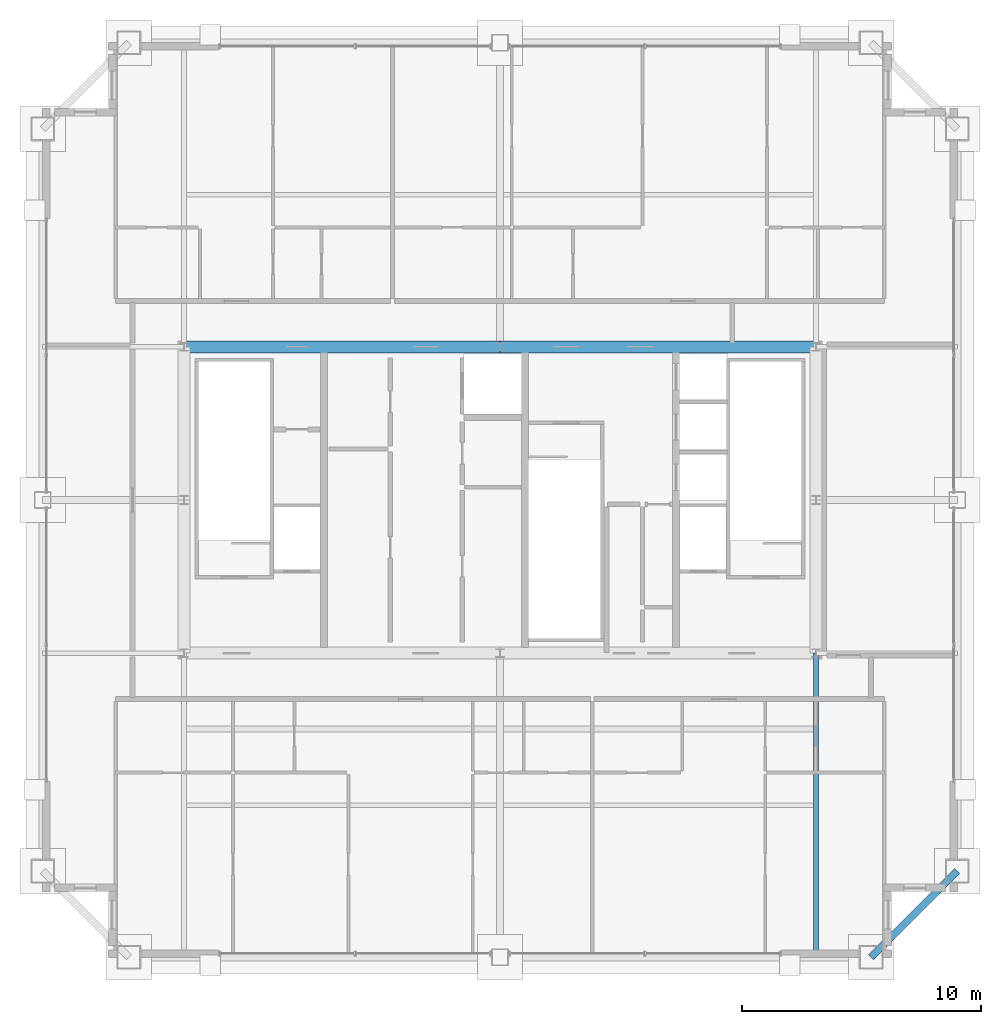
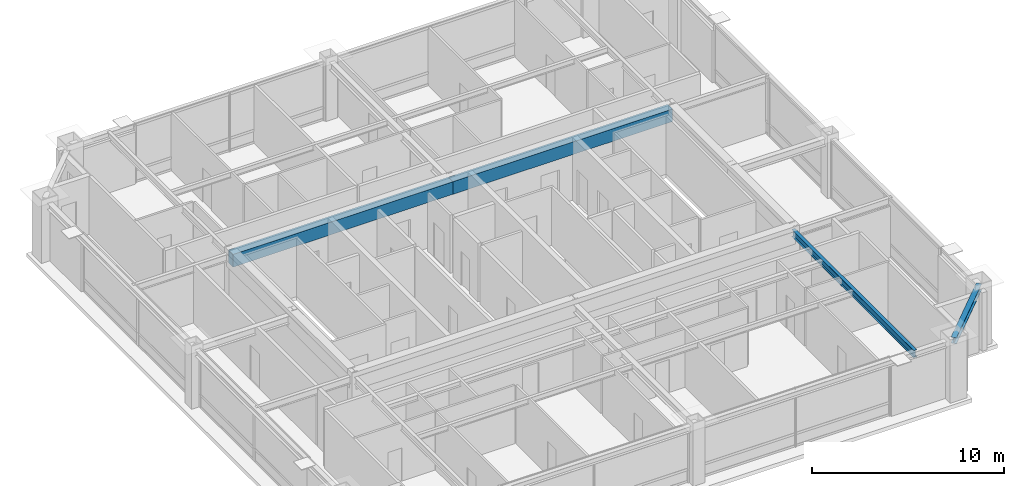
# One storey, part 13 of 34: 4 beams.
"""IFC4 building model written with IfcOpenShell, lengths in metres."""

import ifcopenshell
import ifcopenshell.guid

model = None  # the IFC model being written
_history = None  # IfcOwnerHistory: only IFC2X3 demands one
_inside = {}  # id of a spatial element -> (the spatial element, [elements in it])
_under = {}  # id of a project, library or spatial element -> (it, [spatial elements below it])
_declared = {}  # id of a project -> (the project, [libraries it declares])
_typed = {}  # id of a type object -> (the type object, [elements of that type])
_made_of = {}  # id of a material, layer set ... -> (it, [elements and type objects made of it])


def new_model(schema):
    """Start an empty IFC model of exactly this schema.

    Asked for "IFC4X3", IfcOpenShell would pick the latest addendum, in which some entities
    have other attributes; the version numbers below select the first issue.
    IFC2X3 requires an IfcOwnerHistory on every rooted entity: one is made here for all.
    """
    global model, _history
    if schema == "IFC4X3":
        model = ifcopenshell.file(schema_version=(4, 3, 0, 0))
    else:
        model = ifcopenshell.file(schema=schema)
    _inside.clear()
    _under.clear()
    _declared.clear()
    _typed.clear()
    _made_of.clear()
    _history = None
    if model.schema == "IFC2X3":
        org = make("IfcOrganization", Name="unknown")
        user = make(
            "IfcPersonAndOrganization",
            ThePerson=make("IfcPerson", FamilyName="unknown"),
            TheOrganization=org,
        )
        app = make(
            "IfcApplication",
            ApplicationDeveloper=org,
            Version="unknown",
            ApplicationFullName="unknown",
            ApplicationIdentifier="unknown",
        )
        _history = make(
            "IfcOwnerHistory",
            OwningUser=user,
            OwningApplication=app,
            ChangeAction="ADDED",
            CreationDate=0,
        )
    return model


def make(cls, **values):
    """One entity of the class cls with the attributes given. An attribute that is None is left unset."""
    return model.create_entity(
        cls, **{name: value for name, value in values.items() if value is not None}
    )


def rooted(cls, **values):
    """An entity with a GlobalId (a new one), such as an element, a storey or a relation."""
    return make(cls, GlobalId=ifcopenshell.guid.new(), OwnerHistory=_history, **values)


def si_unit(unit_type, name, prefix=None):
    """IfcSIUnit, for example si_unit("LENGTHUNIT", "METRE", prefix="MILLI")."""
    return make("IfcSIUnit", UnitType=unit_type, Prefix=prefix, Name=name)


def assignment(units):
    """IfcUnitAssignment: the units of a project."""
    return None if units is None else make("IfcUnitAssignment", Units=units)


def point(xyz):
    """IfcCartesianPoint."""
    return None if xyz is None else make("IfcCartesianPoint", Coordinates=xyz)


def direction(xyz):
    """IfcDirection."""
    return None if xyz is None else make("IfcDirection", DirectionRatios=xyz)


def frame(location, z_axis=None, x_axis=None):
    """IfcAxis2Placement3D, a coordinate frame: its origin and axes. An axis left out is left unset."""
    return make(
        "IfcAxis2Placement3D",
        Location=point(location),
        Axis=direction(z_axis),
        RefDirection=direction(x_axis),
    )


def frame_2d(location, x_axis=None):
    """IfcAxis2Placement2D, a coordinate frame in the plane: its origin and x axis."""
    return make(
        "IfcAxis2Placement2D", Location=point(location), RefDirection=direction(x_axis)
    )


def origin():
    """The frame at (0, 0, 0) with its axes left unset."""
    return frame((0.0, 0.0, 0.0))


def origin_2d():
    """The frame at (0, 0) in the plane with its x axis left unset."""
    return frame_2d((0.0, 0.0))


def place(relative_to, where):
    """IfcLocalPlacement: puts the frame where relative to a parent placement (None: the world)."""
    return make(
        "IfcLocalPlacement", PlacementRelTo=relative_to, RelativePlacement=where
    )


def context(
    kind, dimensions, precision=None, world=None, true_north=None, identifier=None
):
    """IfcGeometricRepresentationContext, for example the 3D "Model" context."""
    return make(
        "IfcGeometricRepresentationContext",
        ContextIdentifier=identifier,
        ContextType=kind,
        CoordinateSpaceDimension=dimensions,
        Precision=precision,
        WorldCoordinateSystem=world,
        TrueNorth=true_north,
    )


def subcontext(parent, identifier, kind, view, scale=None):
    """IfcGeometricRepresentationSubContext, for example "Body" below "Model"."""
    return make(
        "IfcGeometricRepresentationSubContext",
        ContextIdentifier=identifier,
        ContextType=kind,
        ParentContext=parent,
        TargetScale=scale,
        TargetView=view,
    )


def project(units=None, contexts=None):
    """IfcProject with its units and contexts."""
    return rooted(
        "IfcProject",
        Name="project",
        RepresentationContexts=contexts,
        UnitsInContext=assignment(units),
    )


def spatial(cls, under=None, at=None, **own):
    """A site, building, storey or space (cls), placed at a placement, below another one or the project."""
    s = rooted(cls, ObjectPlacement=at, **own)
    if under is not None:
        _under.setdefault(under.id(), (under, []))[1].append(s)
    return s


def profile(cls, at=None, kind="AREA", **sizes):
    """A parametric profile (cls). Its sizes go by their IFC names, for example OverallWidth=200.0."""
    return make(cls, ProfileType=kind, Position=at, **sizes)


def rectangle(**sizes):
    """IfcRectangleProfileDef."""
    return profile("IfcRectangleProfileDef", **sizes)


def i_section(**sizes):
    """IfcIShapeProfileDef."""
    return profile("IfcIShapeProfileDef", **sizes)


def extrude(swept, where, along, depth):
    """IfcExtrudedAreaSolid: the profile swept, set in the frame where, extruded along a direction by depth."""
    return make(
        "IfcExtrudedAreaSolid",
        SweptArea=swept,
        Position=where,
        ExtrudedDirection=direction(along),
        Depth=depth,
    )


def shape(context_of_items, identifier, shape_type, items):
    """IfcShapeRepresentation: the items that make up one representation, for example the "Body"."""
    return make(
        "IfcShapeRepresentation",
        ContextOfItems=context_of_items,
        RepresentationIdentifier=identifier,
        RepresentationType=shape_type,
        Items=items,
    )


def source(mapping_origin, context_of_items, identifier, shape_type, items):
    """IfcRepresentationMap: a shape defined once, which mapped items show again and again."""
    return make(
        "IfcRepresentationMap",
        MappingOrigin=mapping_origin,
        MappedRepresentation=shape(context_of_items, identifier, shape_type, items),
    )


def transform(
    local_origin,
    x_axis=None,
    y_axis=None,
    z_axis=None,
    scale=None,
    scale2=None,
    scale3=None,
    uniform=True,
):
    """IfcCartesianTransformationOperator3D, or its non-uniform kind. x_axis, y_axis, z_axis: its Axis1, 2, 3."""
    if uniform:
        return make(
            "IfcCartesianTransformationOperator3D",
            Axis1=direction(x_axis),
            Axis2=direction(y_axis),
            LocalOrigin=point(local_origin),
            Scale=scale,
            Axis3=direction(z_axis),
        )
    return make(
        "IfcCartesianTransformationOperator3DnonUniform",
        Axis1=direction(x_axis),
        Axis2=direction(y_axis),
        LocalOrigin=point(local_origin),
        Scale=scale,
        Axis3=direction(z_axis),
        Scale2=scale2,
        Scale3=scale3,
    )


def mapped(mapping_source, mapping_target):
    """IfcMappedItem: shows the shape of a source again, moved by a transform."""
    return make(
        "IfcMappedItem", MappingSource=mapping_source, MappingTarget=mapping_target
    )


def material(Name=None, Category=None):
    """IfcMaterial."""
    return make("IfcMaterial", Name=Name, Category=Category)


def material_profile(
    of_material, cross_section, Name=None, Category=None, Priority=None
):
    """IfcMaterialProfile: a cross section and its material."""
    return make(
        "IfcMaterialProfile",
        Name=Name,
        Material=of_material,
        Profile=cross_section,
        Priority=Priority,
        Category=Category,
    )


def profile_set(profiles, Name=None, composite=None):
    """IfcMaterialProfileSet."""
    return make(
        "IfcMaterialProfileSet",
        Name=Name,
        MaterialProfiles=profiles,
        CompositeProfile=composite,
    )


def made_of(thing, what):
    """Note that an element or type object is made of a material, layer set ...; save() writes the relation."""
    if what is not None:
        _made_of.setdefault(what.id(), (what, []))[1].append(thing)
    return thing


def type_object(cls, material=None, **own):
    """A type object (cls), such as IfcWallType, which elements share."""
    return made_of(rooted(cls, **own), material)


def element(
    cls,
    number,
    at=None,
    inside=None,
    cuts=None,
    type_object=None,
    material=None,
    context=None,
    identifier="Body",
    shape_type=None,
    held_by="IfcProductDefinitionShape",
    body=None,
    shapes=None,
    **own,
):
    """One element of the class cls, such as IfcWall. Its Tag is "e" and its number.

    at: its placement. inside: the storey or other place that contains it. cuts: it is an
    opening in that element (IfcRelVoidsElement). A single representation is given by context,
    identifier, shape_type and body (its items); several are given by shapes. held_by: the class
    of the entity that holds the representations. save() writes the other relations.
    """
    e = rooted(cls, Tag="e%d" % number, ObjectPlacement=at, **own)
    if body is not None:
        shapes = [shape(context, identifier, shape_type, body)]
    if shapes is not None:
        e.Representation = make(held_by, Representations=shapes)
    if inside is not None:
        _inside.setdefault(inside.id(), (inside, []))[1].append(e)
    if cuts is not None:
        rooted(
            "IfcRelVoidsElement", RelatingBuildingElement=cuts, RelatedOpeningElement=e
        )
    if type_object is not None:
        _typed.setdefault(type_object.id(), (type_object, []))[1].append(e)
    return made_of(e, material)


def aggregate(whole, parts):
    """IfcRelAggregates: a whole, such as a stair, and the parts it consists of."""
    return rooted("IfcRelAggregates", RelatingObject=whole, RelatedObjects=parts)


def save(model, path):
    """Write the relations noted so far, then the file.

    IfcRelAggregates (storeys below a building ...), IfcRelContainedInSpatialStructure (elements
    in a storey), IfcRelDefinesByType, IfcRelAssociatesMaterial and IfcRelDeclares: one each for
    every whole, place, type object, material and project.
    """
    for whole, parts in _under.values():
        aggregate(whole, parts)
    for where, things in _inside.values():
        rooted(
            "IfcRelContainedInSpatialStructure",
            RelatedElements=things,
            RelatingStructure=where,
        )
    for kind, things in _typed.values():
        rooted("IfcRelDefinesByType", RelatedObjects=things, RelatingType=kind)
    for what, things in _made_of.values():
        rooted("IfcRelAssociatesMaterial", RelatedObjects=things, RelatingMaterial=what)
    for by, libraries in _declared.values():
        rooted("IfcRelDeclares", RelatingContext=by, RelatedDefinitions=libraries)
    model.write(path)


model = new_model("IFC4")

# Units and contexts
model_context = context("Model", 3, precision=1e-05, world=origin(), true_north=direction((0.0, 1.0)))
body_context = subcontext(model_context, "Body", "Model", "MODEL_VIEW")
ifc_project = project(units=[si_unit("LENGTHUNIT", "METRE"), si_unit("AREAUNIT", "SQUARE_METRE"), si_unit("VOLUMEUNIT", "CUBIC_METRE"), si_unit("PLANEANGLEUNIT", "RADIAN"), si_unit("MASSUNIT", "GRAM", prefix="KILO"), si_unit("THERMODYNAMICTEMPERATUREUNIT", "KELVIN"), si_unit("POWERUNIT", "WATT")], contexts=[model_context])

# Site, building, storey
site_placement = place(None, origin())
site = spatial("IfcSite", under=ifc_project, at=site_placement, CompositionType="ELEMENT")
building_placement = place(site_placement, origin())
building = spatial("IfcBuilding", under=site, at=building_placement, Name="Yuzanri Waterfront Tower", CompositionType="ELEMENT")
storey_placement = place(building_placement, frame((0.0, 0.0, 347.199951171875)))
storey = spatial("IfcBuildingStorey", under=building, at=storey_placement, Name="L93", CompositionType="ELEMENT", Elevation=347.199951171875)

# Beams
ifc_material_1 = material(Name="Concrete C50", Category="concrete")
ifc_material_profile_1 = material_profile(ifc_material_1, rectangle(XDim=0.5, YDim=0.800048828125, at=origin_2d()), Name="RC 500x800")
ifc_profile_set_1 = profile_set([ifc_material_profile_1], Name="Concrete C50")
beam_type_1 = type_object("IfcBeamType", Name="Core Coupling Lintel Concrete C50 500x800", PredefinedType="LINTEL", material=ifc_profile_set_1)
shared_shape_1 = source(origin(), body_context, "Body", "SweptSolid", [
    extrude(rectangle(XDim=0.5, YDim=0.800048828125, at=origin_2d()), origin(), (0.0, 0.0, 1.0), 13.199951171875),
])
for number, where, z_axis, x_axis, name in (
    (1, (23.800048828125, 32.199951171875, 3.300048828125), (1.0, 0.0, 0.0), (0.0, 1.0, 0.0), "L93 Core Tie Beam CN1"),
    (2, (37.0, 32.199951171875, 3.300048828125), (1.0, 0.0, 0.0), (0.0, 1.0, 0.0), "L93 Core Tie Beam CN2"),
):
    element("IfcBeam", number, at=place(storey_placement, frame(where, z_axis=z_axis, x_axis=x_axis)), inside=storey, type_object=beam_type_1, Name=name, PredefinedType="LINTEL", context=body_context, shape_type="MappedRepresentation", body=[
        mapped(shared_shape_1, transform((0.0, 0.0, 0.0), scale=1.0)),
    ])
ifc_material_2 = material(Name="Steel Q355B", Category="steel")
ifc_material_profile_2 = material_profile(ifc_material_2, i_section(OverallWidth=0.300048828125, OverallDepth=0.389892578125, WebThickness=0.010009765625, FlangeThickness=0.01611328125, at=origin_2d()), Name="HM 390x300x10x16")
ifc_profile_set_2 = profile_set([ifc_material_profile_2], Name="Steel Q355B")
beam_type_2 = type_object("IfcBeamType", Name="Perimeter Spandrel Q355B HM 390x300", PredefinedType="SPANDREL", material=ifc_profile_set_2)
shared_shape_2 = source(origin(), body_context, "Body", "SweptSolid", [
    extrude(i_section(OverallWidth=0.300048828125, OverallDepth=0.389892578125, WebThickness=0.010009765625, FlangeThickness=0.01611328125, at=origin_2d()), origin(), (0.0, 0.0, 1.0), 5.09130859375),
])
beam_1_placement = place(storey_placement, frame((52.5, 6.699951171875, 3.505126953125), z_axis=(0.707106781187, 0.707106781187, 0.0), x_axis=(-0.707106781187, 0.707106781187, 0.0)))
element("IfcBeam", 3, at=beam_1_placement, inside=storey, type_object=beam_type_2, Name="L93 Perimeter Spandrel S3-E1", PredefinedType="SPANDREL", context=body_context, shape_type="MappedRepresentation", body=[
    mapped(shared_shape_2, transform((0.0, 0.0, 0.0), scale=1.0)),
])
ifc_material_3 = material(Name="Steel Q355B", Category="steel")
ifc_material_profile_3 = material_profile(ifc_material_3, i_section(OverallWidth=0.199951171875, OverallDepth=0.449951171875, WebThickness=0.009033203125, FlangeThickness=0.013916015625, at=origin_2d()), Name="HN 450x200x9x14")
ifc_profile_set_3 = profile_set([ifc_material_profile_3], Name="Steel Q355B")
beam_type_3 = type_object("IfcBeamType", Name="Secondary Floor Beam Q355B HN 450x200", PredefinedType="BEAM", material=ifc_profile_set_3)
shared_shape_3 = source(origin(), body_context, "Body", "SweptSolid", [
    extrude(i_section(OverallWidth=0.199951171875, OverallDepth=0.449951171875, WebThickness=0.009033203125, FlangeThickness=0.013916015625, at=origin_2d()), origin(), (0.0, 0.0, 1.0), 12.699951171875),
])
beam_2_placement = place(storey_placement, frame((50.199951171875, 19.39990234375, 3.47509765625), z_axis=(0.0, -1.0, 0.0), x_axis=(1.0, 0.0, 0.0)))
element("IfcBeam", 4, at=beam_2_placement, inside=storey, type_object=beam_type_3, Name="L93 South-East Core Line Beam", PredefinedType="BEAM", context=body_context, shape_type="MappedRepresentation", body=[
    mapped(shared_shape_3, transform((0.0, 0.0, 0.0), scale=1.0)),
])

save(model, "model.ifc")
